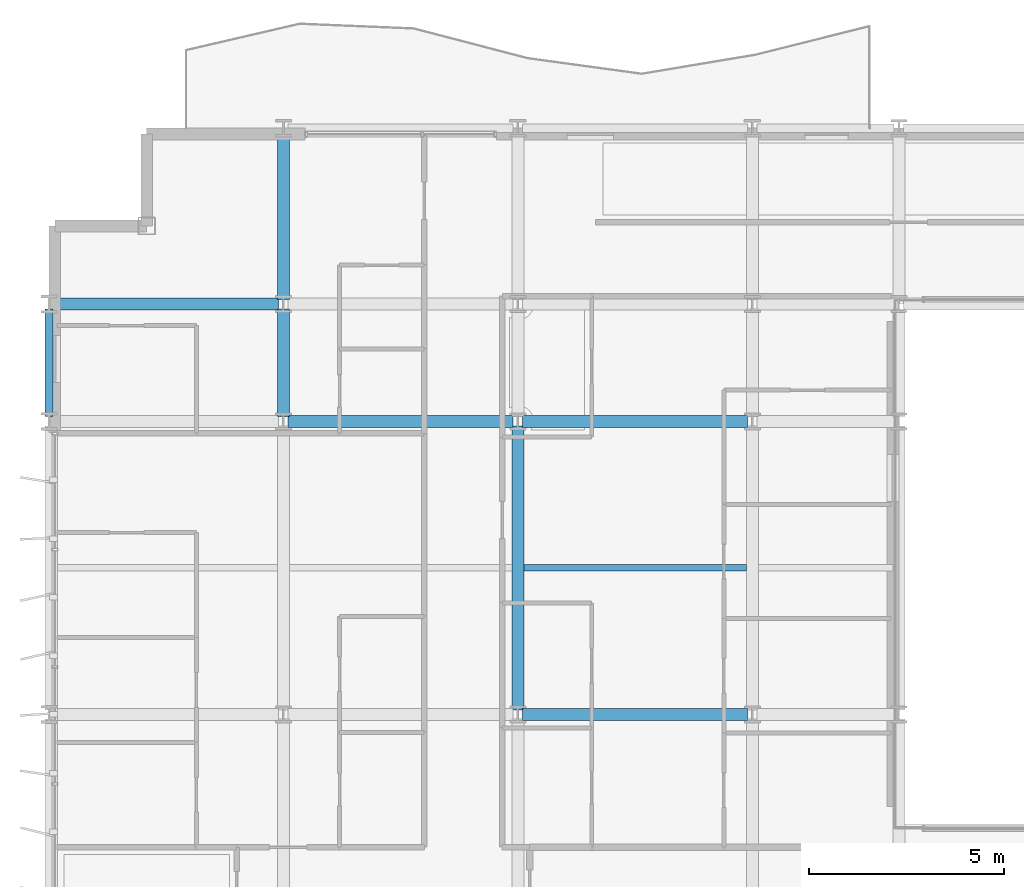
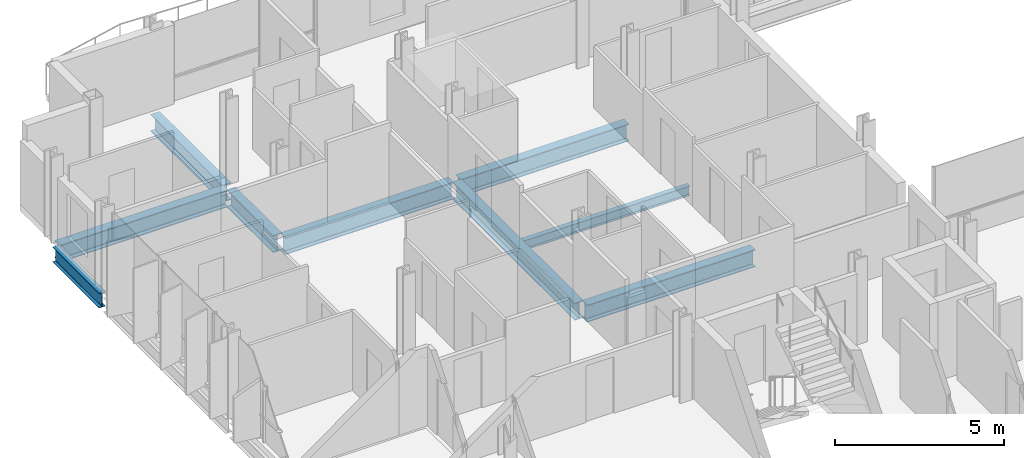
# One storey, part 6 of 38: 9 beams.
"""IFC4 building model written with IfcOpenShell, lengths in metres."""

from ifc_helpers import new_model, si_unit, direction, frame, origin, origin_2d, place, context, subcontext, project, spatial, i_section, extrude, material, material_profile, profile_set, type_object, element, save


model = new_model("IFC4")

# Units and contexts
model_context = context("Model", 3, precision=1e-05, world=origin(), true_north=direction((0.0, 1.0)))
body_context = subcontext(model_context, "Body", "Model", "MODEL_VIEW")
ifc_project = project(units=[si_unit("LENGTHUNIT", "METRE"), si_unit("AREAUNIT", "SQUARE_METRE"), si_unit("VOLUMEUNIT", "CUBIC_METRE"), si_unit("PLANEANGLEUNIT", "RADIAN"), si_unit("MASSUNIT", "GRAM", prefix="KILO")], contexts=[model_context])

# Site, building, storey
site_placement = place(None, origin())
site = spatial("IfcSite", under=ifc_project, at=site_placement, CompositionType="ELEMENT")
building_placement = place(site_placement, origin())
building = spatial("IfcBuilding", under=site, at=building_placement, Name="Brevholm Reach", CompositionType="ELEMENT")
storey_placement = place(building_placement, frame((0.0, 0.0, 71.39990234375)))
storey = spatial("IfcBuildingStorey", under=building, at=storey_placement, Name="L20", CompositionType="ELEMENT", Elevation=71.39990234375)

# Beams
ifc_material_1 = material(Name="Structural Steel S355J2", Category="steel")
ifc_material_profile_1 = material_profile(ifc_material_1, i_section(OverallWidth=0.17138671875, OverallDepth=0.35498046875, WebThickness=0.00732421875, FlangeThickness=0.011474609375, FilletRadius=0.01025390625, at=origin_2d()), Name="UKB 356x171x51")
ifc_profile_set_1 = profile_set([ifc_material_profile_1], Name="Structural Steel S355J2")
beam_type_1 = type_object("IfcBeamType", Name="BM-B356", PredefinedType="BEAM", material=ifc_profile_set_1)
beam_1_placement = place(storey_placement, frame((12.153564453125, 19.75, -0.407470703125), z_axis=(1.0, 0.0, 0.0), x_axis=(0.0, 1.0, 0.0)))
element("IfcBeam", 1, at=beam_1_placement, inside=storey, type_object=beam_type_1, Name="L20 Composite Secondary Floor Beam", PredefinedType="BEAM", context=body_context, shape_type="SweptSolid", body=[
    extrude(i_section(OverallWidth=0.17138671875, OverallDepth=0.35498046875, WebThickness=0.00732421875, FlangeThickness=0.011474609375, FilletRadius=0.01025390625, at=origin_2d()), origin(), (0.0, 0.0, 1.0), 5.69287109375),
])
ifc_material_2 = material(Name="Structural Steel S355J2", Category="steel")
ifc_material_profile_2 = material_profile(ifc_material_2, i_section(OverallWidth=0.210693359375, OverallDepth=0.53955078125, WebThickness=0.01171875, FlangeThickness=0.018798828125, FilletRadius=0.0126953125, at=origin_2d()), Name="UKB 533x210x109")
ifc_profile_set_2 = profile_set([ifc_material_profile_2], Name="Structural Steel S355J2")
beam_type_2 = type_object("IfcBeamType", Name="BM-SP539", PredefinedType="SPANDREL", material=ifc_profile_set_2)
beam_2_placement = place(storey_placement, frame((0.0, 23.6201171875, -0.499755859375), z_axis=(0.0, 1.0, 0.0), x_axis=(-1.0, 0.0, 0.0)))
element("IfcBeam", 2, at=beam_2_placement, inside=storey, type_object=beam_type_2, Name="L20 SP-01B Framing Beam", PredefinedType="SPANDREL", context=body_context, shape_type="SweptSolid", body=[
    extrude(i_section(OverallWidth=0.210693359375, OverallDepth=0.53955078125, WebThickness=0.01171875, FlangeThickness=0.018798828125, FilletRadius=0.0126953125, at=origin_2d()), origin(), (0.0, 0.0, 1.0), 2.759765625),
])
ifc_material_3 = material(Name="Structural Steel S355J2", Category="steel")
ifc_material_profile_3 = material_profile(ifc_material_3, i_section(OverallWidth=0.30712890625, OverallDepth=0.6201171875, WebThickness=0.01416015625, FlangeThickness=0.023681640625, FilletRadius=0.0166015625, at=origin_2d()), Name="UKB 610x305x179")
ifc_profile_set_3 = profile_set([ifc_material_profile_3], Name="Structural Steel S355J2")
beam_type_3 = type_object("IfcBeamType", Name="BM-UKB610H", PredefinedType="USERDEFINED", material=ifc_profile_set_3)
for number, where, z_axis, x_axis, name in (
    (3, (12.1201171875, 16.0, -0.5400390625), (1.0, 0.0, 0.0), (0.0, 1.0, 0.0), "L20 G-06 Framing Beam"),
    (4, (6.1201171875, 23.5, -0.5400390625), (1.0, 0.0, 0.0), (0.0, 1.0, 0.0), "L20 G-06 Framing Beam"),
    (5, (12.1201171875, 23.5, -0.5400390625), (1.0, 0.0, 0.0), (0.0, 1.0, 0.0), "L20 G-06 Framing Beam"),
    (6, (0.1201171875, 26.5, -0.5400390625), (1.0, 0.0, 0.0), (0.0, 1.0, 0.0), "L20 G-06 Framing Beam"),
):
    element("IfcBeam", number, at=place(storey_placement, frame(where, z_axis=z_axis, x_axis=x_axis)), inside=storey, type_object=beam_type_3, Name=name, ObjectType="GIRDER", PredefinedType="USERDEFINED", context=body_context, shape_type="SweptSolid", body=[
        extrude(i_section(OverallWidth=0.30712890625, OverallDepth=0.6201171875, WebThickness=0.01416015625, FlangeThickness=0.023681640625, FilletRadius=0.0166015625, at=origin_2d()), origin(), (0.0, 0.0, 1.0), 5.759765625),
    ])
beam_3_placement = place(storey_placement, frame((6.0, 23.6201171875, -0.5400390625), z_axis=(0.0, 1.0, 0.0), x_axis=(-1.0, 0.0, 0.0)))
element("IfcBeam", 7, at=beam_3_placement, inside=storey, type_object=beam_type_3, Name="L20 G-06 Framing Beam", ObjectType="GIRDER", PredefinedType="USERDEFINED", context=body_context, shape_type="SweptSolid", body=[
    extrude(i_section(OverallWidth=0.30712890625, OverallDepth=0.6201171875, WebThickness=0.01416015625, FlangeThickness=0.023681640625, FilletRadius=0.0166015625, at=origin_2d()), origin(), (0.0, 0.0, 1.0), 2.759765625),
])
beam_4_placement = place(storey_placement, frame((6.0, 26.6201171875, -0.5400390625), z_axis=(0.0, 1.0, 0.0), x_axis=(-1.0, 0.0, 0.0)))
element("IfcBeam", 8, at=beam_4_placement, inside=storey, type_object=beam_type_3, Name="L20 G-06 Framing Beam", ObjectType="GIRDER", PredefinedType="USERDEFINED", context=body_context, shape_type="SweptSolid", body=[
    extrude(i_section(OverallWidth=0.30712890625, OverallDepth=0.6201171875, WebThickness=0.01416015625, FlangeThickness=0.023681640625, FilletRadius=0.0166015625, at=origin_2d()), origin(), (0.0, 0.0, 1.0), 4.259765625),
])
beam_5_placement = place(storey_placement, frame((12.0, 16.1201171875, -0.5400390625), z_axis=(0.0, 1.0, 0.0), x_axis=(-1.0, 0.0, 0.0)))
element("IfcBeam", 9, at=beam_5_placement, inside=storey, type_object=beam_type_3, Name="L20 G-06 Framing Beam", ObjectType="GIRDER", PredefinedType="USERDEFINED", context=body_context, shape_type="SweptSolid", body=[
    extrude(i_section(OverallWidth=0.30712890625, OverallDepth=0.6201171875, WebThickness=0.01416015625, FlangeThickness=0.023681640625, FilletRadius=0.0166015625, at=origin_2d()), origin(), (0.0, 0.0, 1.0), 7.259765625),
])

save(model, "model.ifc")
